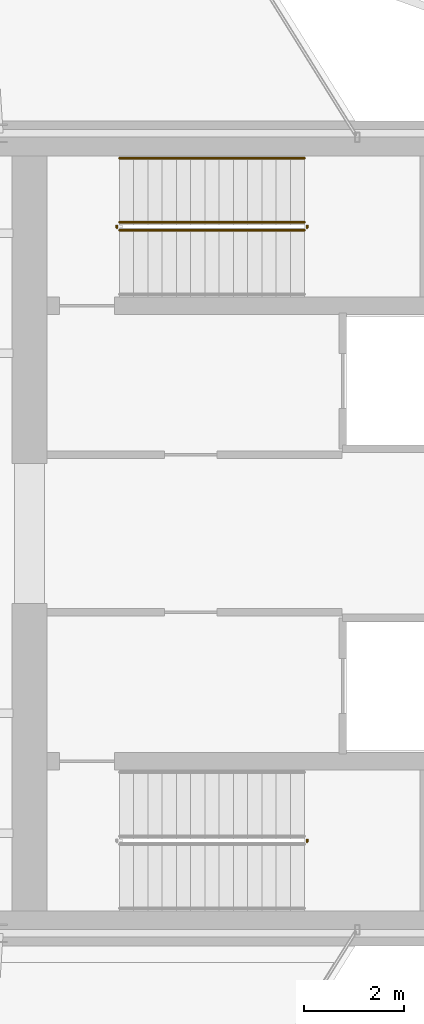
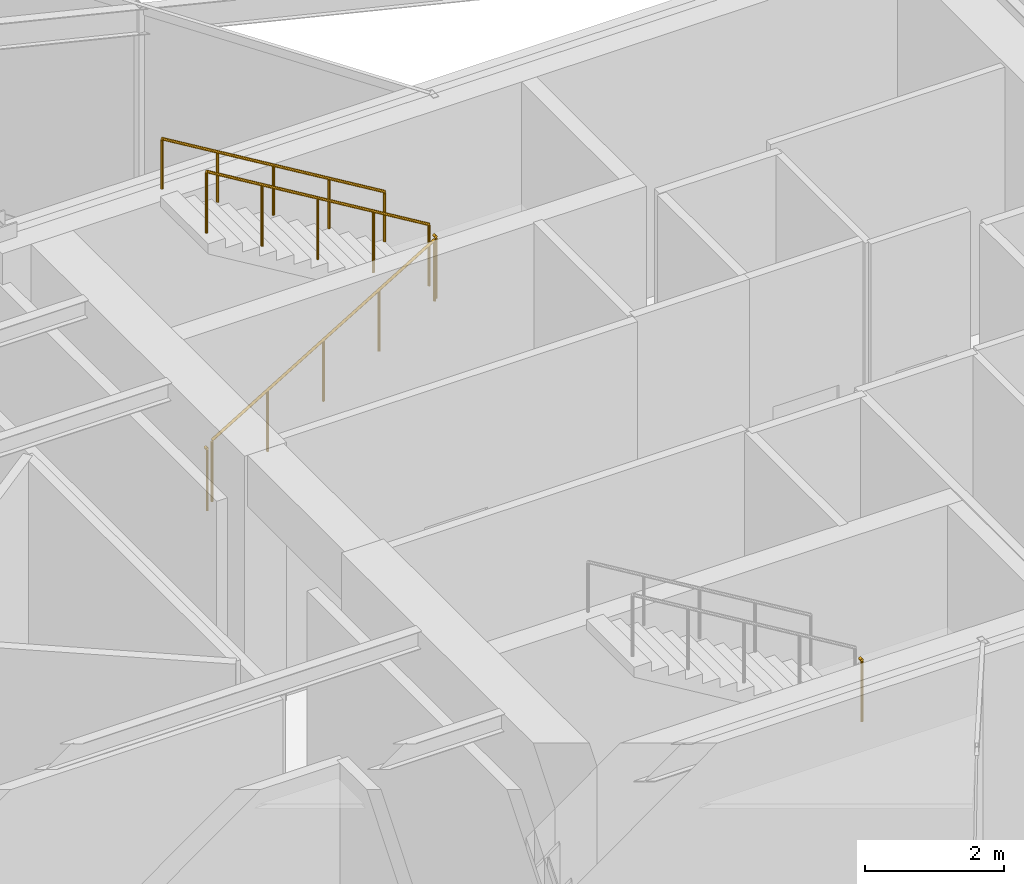
# One storey, part 14 of 14: 6 railings.
"""IFC4 building model written with IfcOpenShell, lengths in metres."""

from ifc_helpers import new_model, si_unit, direction, frame, origin, origin_2d, place, context, subcontext, project, spatial, circle, extrude, material, type_object, element, save


model = new_model("IFC4")

# Units and contexts
model_context = context("Model", 3, precision=1e-05, world=origin(), true_north=direction((0.0, 1.0)))
body_context = subcontext(model_context, "Body", "Model", "MODEL_VIEW")
ifc_project = project(units=[si_unit("LENGTHUNIT", "METRE"), si_unit("AREAUNIT", "SQUARE_METRE"), si_unit("VOLUMEUNIT", "CUBIC_METRE"), si_unit("PLANEANGLEUNIT", "RADIAN"), si_unit("MASSUNIT", "GRAM", prefix="KILO")], contexts=[model_context])

# Site, building, storey
site_placement = place(None, origin())
site = spatial("IfcSite", under=ifc_project, at=site_placement, CompositionType="ELEMENT")
building_placement = place(site_placement, origin())
building = spatial("IfcBuilding", under=site, at=building_placement, Name="Veymaron Broadcast Tower", CompositionType="ELEMENT")
storey_placement = place(building_placement, frame((0.0, 0.0, 187.050048828125)))
storey = spatial("IfcBuildingStorey", under=building, at=storey_placement, Name="L43", CompositionType="ELEMENT", Elevation=187.050048828125)

# Railings
ifc_material_1 = material(Name="Brushed stainless steel AISI 304", Category="steel")
railing_type_1 = type_object("IfcRailingType", Name="RAIL-STAIR-HR", PredefinedType="HANDRAIL", material=ifc_material_1)
railing_1_placement = place(storey_placement, frame((45.135009765625, 31.5, 2.5712890625)))
element("IfcRailing", 1, at=railing_1_placement, inside=storey, type_object=railing_type_1, Name="L43 ST1 stair handrail 2", PredefinedType="HANDRAIL", context=body_context, shape_type="SweptSolid", body=[
    extrude(circle(Radius=0.02392578125, at=origin_2d()), frame((0.0, 0.0, 0.8759765625), z_axis=(-0.856909459561, 0.0, 0.515466951525), x_axis=(0.0, -1.0, 0.0)), (0.0, 0.0, 1.0), 4.32373046875),
    extrude(circle(Radius=0.02099609375, at=origin_2d()), origin(), (0.0, 0.0, 1.0), 0.851806640625),
    extrude(circle(Radius=0.02099609375, at=origin_2d()), frame((-0.92626953125, 0.0, 0.55712890625)), (0.0, 0.0, 1.0), 0.851806640625),
    extrude(circle(Radius=0.02099609375, at=origin_2d()), frame((-1.8525390625, 0.0, 1.1142578125)), (0.0, 0.0, 1.0), 0.851806640625),
    extrude(circle(Radius=0.02099609375, at=origin_2d()), frame((-2.77880859375, 0.0, 1.671630859375)), (0.0, 0.0, 1.0), 0.851806640625),
    extrude(circle(Radius=0.02099609375, at=origin_2d()), frame((-3.705078125, 0.0, 2.228759765625)), (0.0, 0.0, 1.0), 0.851806640625),
])
ifc_material_2 = material(Name="Painted galvanized steel balustrade", Category="steel")
railing_type_2 = type_object("IfcRailingType", Name="RAIL-WELL-GRD", PredefinedType="GUARDRAIL", material=ifc_material_2)
railing_2_placement = place(storey_placement, frame((41.429931640625, 30.06005859375, 0.17138671875)))
element("IfcRailing", 2, at=railing_2_placement, inside=storey, type_object=railing_type_2, Name="L43 ST1 stair guard 1", PredefinedType="GUARDRAIL", context=body_context, shape_type="SweptSolid", body=[
    extrude(circle(Radius=0.02392578125, at=origin_2d()), frame((0.0, 0.0, 1.076171875), z_axis=(0.856934400257, 0.0, 0.515425487977), x_axis=(0.0, 1.0, 0.0)), (0.0, 0.0, 1.0), 4.32373046875),
    extrude(circle(Radius=0.02099609375, at=origin_2d()), origin(), (0.0, 0.0, 1.0), 1.052001953125),
    extrude(circle(Radius=0.02099609375, at=origin_2d()), frame((0.92626953125, 0.0, 0.55712890625)), (0.0, 0.0, 1.0), 1.052001953125),
    extrude(circle(Radius=0.02099609375, at=origin_2d()), frame((1.8525390625, 0.0, 1.1142578125)), (0.0, 0.0, 1.0), 1.052001953125),
    extrude(circle(Radius=0.02099609375, at=origin_2d()), frame((2.77880859375, 0.0, 1.67138671875)), (0.0, 0.0, 1.0), 1.052001953125),
    extrude(circle(Radius=0.02099609375, at=origin_2d()), frame((3.705078125, 0.0, 2.228515625)), (0.0, 0.0, 1.0), 1.052001953125),
])
railing_3_placement = place(storey_placement, frame((45.18505859375, 30.110107421875, 2.39990234375)))
element("IfcRailing", 3, at=railing_3_placement, inside=storey, type_object=railing_type_2, Name="L43 ST1 stair guard 2", PredefinedType="GUARDRAIL", context=body_context, shape_type="SweptSolid", body=[
    extrude(circle(Radius=0.02392578125, at=origin_2d()), frame((0.0, 0.0, 1.076171875), z_axis=(0.0, 1.0, 0.0), x_axis=(-1.0, 0.0, 0.0)), (0.0, 0.0, 1.0), 0.059814453125),
    extrude(circle(Radius=0.02099609375, at=origin_2d()), origin(), (0.0, 0.0, 1.0), 1.052001953125),
])
railing_4_placement = place(storey_placement, frame((45.135009765625, 30.219970703125, 2.5712890625)))
element("IfcRailing", 4, at=railing_4_placement, inside=storey, type_object=railing_type_2, Name="L43 ST1 stair guard 3", PredefinedType="GUARDRAIL", context=body_context, shape_type="SweptSolid", body=[
    extrude(circle(Radius=0.02392578125, at=origin_2d()), frame((0.0, 0.0, 1.076171875), z_axis=(-0.856909459561, 0.0, 0.515466951525), x_axis=(0.0, -1.0, 0.0)), (0.0, 0.0, 1.0), 4.32373046875),
    extrude(circle(Radius=0.02099609375, at=origin_2d()), origin(), (0.0, 0.0, 1.0), 1.052001953125),
    extrude(circle(Radius=0.02099609375, at=origin_2d()), frame((-0.92626953125, 0.0, 0.55712890625)), (0.0, 0.0, 1.0), 1.052001953125),
    extrude(circle(Radius=0.02099609375, at=origin_2d()), frame((-1.8525390625, 0.0, 1.1142578125)), (0.0, 0.0, 1.0), 1.052001953125),
    extrude(circle(Radius=0.02099609375, at=origin_2d()), frame((-2.77880859375, 0.0, 1.671630859375)), (0.0, 0.0, 1.0), 1.052001953125),
    extrude(circle(Radius=0.02099609375, at=origin_2d()), frame((-3.705078125, 0.0, 2.228759765625)), (0.0, 0.0, 1.0), 1.052001953125),
])
for number, where, name in (
    (5, (41.3798828125, 30.110107421875, 0.0), "L43 ST1 stair guard 4"),
    (6, (45.18505859375, 17.830078125, 2.39990234375), "L43 ST2 stair guard 2"),
):
    element("IfcRailing", number, at=place(storey_placement, frame(where)), inside=storey, type_object=railing_type_2, Name=name, PredefinedType="GUARDRAIL", context=body_context, shape_type="SweptSolid", body=[
        extrude(circle(Radius=0.02392578125, at=origin_2d()), frame((0.0, 0.0, 1.076171875), z_axis=(0.0, 1.0, 0.0), x_axis=(-1.0, 0.0, 0.0)), (0.0, 0.0, 1.0), 0.059814453125),
        extrude(circle(Radius=0.02099609375, at=origin_2d()), origin(), (0.0, 0.0, 1.0), 1.052001953125),
    ])

save(model, "model.ifc")
